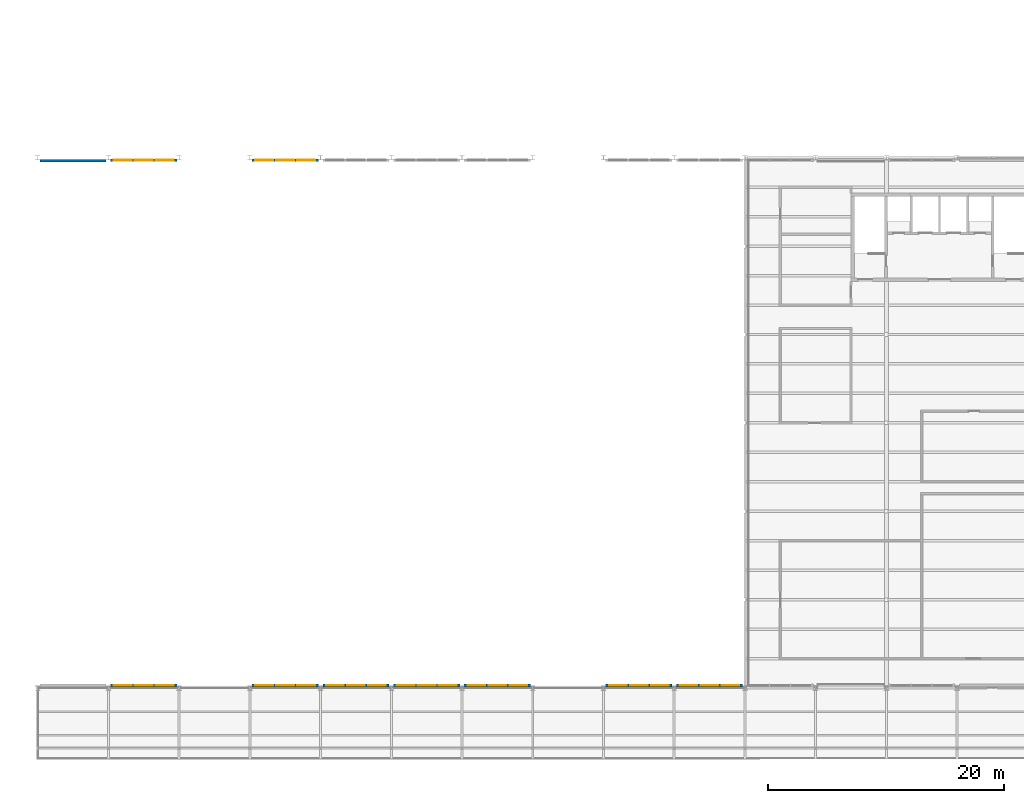
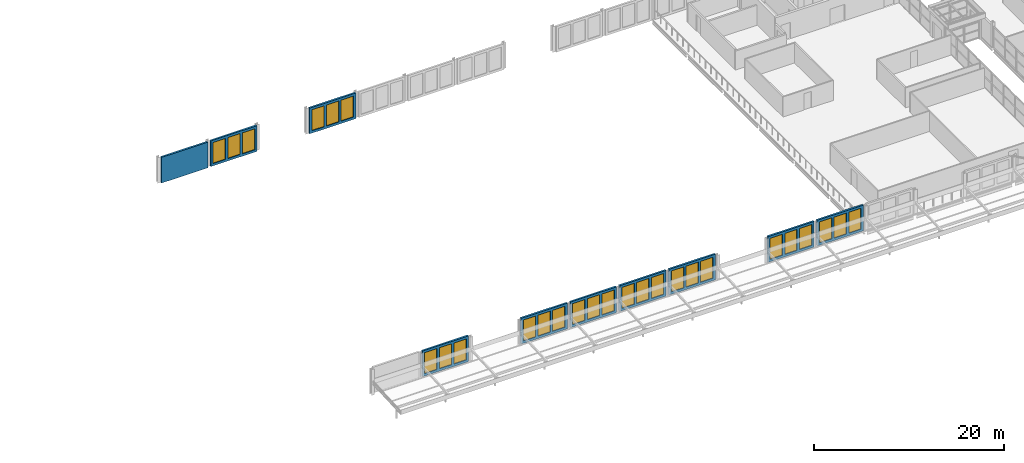
# One storey, part 62 of 214: 27 windows, 10 walls, 27 openings.
"""IFC4 building model written with IfcOpenShell, lengths in metres."""

from ifc_helpers import new_model, si_unit, direction, frame, frame_2d, origin, place, context, subcontext, project, spatial, rectangle, extrude, material, layer, layer_set, type_object, element, fill, save


model = new_model("IFC4")

# Units and contexts
model_context = context("Model", 3, precision=1e-05, world=origin(), true_north=direction((0.0, 1.0)))
body_context = subcontext(model_context, "Body", "Model", "MODEL_VIEW")
ifc_project = project(units=[si_unit("LENGTHUNIT", "METRE"), si_unit("AREAUNIT", "SQUARE_METRE"), si_unit("VOLUMEUNIT", "CUBIC_METRE"), si_unit("PLANEANGLEUNIT", "RADIAN"), si_unit("MASSUNIT", "GRAM", prefix="KILO")], contexts=[model_context])

# Site, building, storey
site_placement = place(None, origin())
site = spatial("IfcSite", under=ifc_project, at=site_placement, CompositionType="ELEMENT")
building_placement = place(site_placement, origin())
building = spatial("IfcBuilding", under=site, at=building_placement, Name="Parallax Yard Mobility Hub", CompositionType="ELEMENT")
storey_placement = place(building_placement, frame((0.0, 0.0, 3.300048828125)))
storey = spatial("IfcBuildingStorey", under=building, at=storey_placement, Name="L01", CompositionType="ELEMENT", Elevation=3.300048828125)

# Wall, openings, windows
ifc_material_1 = material(Name="Concrete fc' 35 MPa", Category="concrete")
ifc_layer = layer(ifc_material_1, 0.219970703125)
ifc_layer_set = layer_set([ifc_layer], Name="Gable panel, Concrete fc' 35 MPa precast, 220")
wall_type = type_object("IfcWallType", Name="Gable panel, Concrete fc' 35 MPa precast, 220", PredefinedType="SOLIDWALL", material=ifc_layer_set)
wall_1_placement = place(storey_placement, frame((15.1865234375, 7.72412109375, 0.0), z_axis=(0.0, 0.0, 1.0), x_axis=(1.0, 0.0, 0.0)))
wall_1 = element("IfcWall", 1, at=wall_1_placement, inside=storey, type_object=wall_type, Name="Bus and taxi deck south gable wall bay 2 level L01", PredefinedType="SOLIDWALL", context=body_context, shape_type="SweptSolid", body=[
    extrude(rectangle(XDim=5.626953125, YDim=0.219970703125, at=frame_2d((2.8134765625, 0.0))), origin(), (0.0, 0.0, 1.0), 3.300048828125),
])
opening_1_placement = place(wall_1_placement, frame((0.28173828125, 0.0, 0.300048828125)))
opening_1 = element("IfcOpeningElement", 2, at=opening_1_placement, cuts=wall_1, Name="Opening LV8", PredefinedType="OPENING", context=body_context, shape_type="SweptSolid", body=[
    extrude(rectangle(XDim=1.5, YDim=2.699951171875, at=frame_2d((0.75, 1.35009765625))), frame((0.0, 0.1201171875, 0.0), z_axis=(0.0, -1.0, 0.0), x_axis=(1.0, 0.0, 0.0)), (0.0, 0.0, 1.0), 0.239990234375),
])
opening_2_placement = place(wall_1_placement, frame((2.0634765625, 0.0, 0.300048828125)))
opening_2 = element("IfcOpeningElement", 3, at=opening_2_placement, cuts=wall_1, Name="Opening LV8", PredefinedType="OPENING", context=body_context, shape_type="SweptSolid", body=[
    extrude(rectangle(XDim=1.5, YDim=2.699951171875, at=frame_2d((0.75, 1.35009765625))), frame((0.0, 0.1201171875, 0.0), z_axis=(0.0, -1.0, 0.0), x_axis=(1.0, 0.0, 0.0)), (0.0, 0.0, 1.0), 0.239990234375),
])
opening_3_placement = place(wall_1_placement, frame((3.84521484375, 0.0, 0.300048828125)))
opening_3 = element("IfcOpeningElement", 4, at=opening_3_placement, cuts=wall_1, Name="Opening LV8", PredefinedType="OPENING", context=body_context, shape_type="SweptSolid", body=[
    extrude(rectangle(XDim=1.5, YDim=2.699951171875, at=frame_2d((0.75, 1.35009765625))), frame((0.0, 0.1201171875, 0.0), z_axis=(0.0, -1.0, 0.0), x_axis=(1.0, 0.0, 0.0)), (0.0, 0.0, 1.0), 0.239990234375),
])
ifc_material_2 = material(Name="Extruded aluminium storm louvre blades in a powder-coated frame", Category="aluminium")
window_type = type_object("IfcWindowType", Name="Storm louvre 1500 x 2700", PartitioningType="SINGLE_PANEL", PredefinedType="WINDOW", material=ifc_material_2)
window_1_placement = place(opening_1_placement, origin())
window_1 = element("IfcWindow", 5, at=window_1_placement, inside=storey, type_object=window_type, Name="LV8 louvre level L01", OverallHeight=2.699951171875, OverallWidth=1.5, PartitioningType="SINGLE_PANEL", PredefinedType="WINDOW", context=body_context, shape_type="SweptSolid", body=[
    extrude(rectangle(XDim=1.5, YDim=2.699951171875, at=frame_2d((0.75, 1.35009765625))), frame((0.0, 0.030029296875, 0.0), z_axis=(0.0, -1.0, 0.0), x_axis=(1.0, 0.0, 0.0)), (0.0, 0.0, 1.0), 0.06005859375),
])
fill(opening_1, window_1)
window_2_placement = place(opening_2_placement, origin())
window_2 = element("IfcWindow", 6, at=window_2_placement, inside=storey, type_object=window_type, Name="LV8 louvre level L01", OverallHeight=2.699951171875, OverallWidth=1.5, PartitioningType="SINGLE_PANEL", PredefinedType="WINDOW", context=body_context, shape_type="SweptSolid", body=[
    extrude(rectangle(XDim=1.5, YDim=2.699951171875, at=frame_2d((0.75, 1.35009765625))), frame((0.0, 0.030029296875, 0.0), z_axis=(0.0, -1.0, 0.0), x_axis=(1.0, 0.0, 0.0)), (0.0, 0.0, 1.0), 0.06005859375),
])
fill(opening_2, window_2)
window_3_placement = place(opening_3_placement, origin())
window_3 = element("IfcWindow", 7, at=window_3_placement, inside=storey, type_object=window_type, Name="LV8 louvre level L01", OverallHeight=2.699951171875, OverallWidth=1.5, PartitioningType="SINGLE_PANEL", PredefinedType="WINDOW", context=body_context, shape_type="SweptSolid", body=[
    extrude(rectangle(XDim=1.5, YDim=2.699951171875, at=frame_2d((0.75, 1.35009765625))), frame((0.0, 0.030029296875, 0.0), z_axis=(0.0, -1.0, 0.0), x_axis=(1.0, 0.0, 0.0)), (0.0, 0.0, 1.0), 0.06005859375),
])
fill(opening_3, window_3)

wall_2_placement = place(storey_placement, frame((27.1865234375, 7.72412109375, 0.0), z_axis=(0.0, 0.0, 1.0), x_axis=(1.0, 0.0, 0.0)))
wall_2 = element("IfcWall", 8, at=wall_2_placement, inside=storey, type_object=wall_type, Name="Bus and taxi deck south gable wall bay 3 level L01", PredefinedType="SOLIDWALL", context=body_context, shape_type="SweptSolid", body=[
    extrude(rectangle(XDim=5.626953125, YDim=0.219970703125, at=frame_2d((2.8134765625, 0.0))), origin(), (0.0, 0.0, 1.0), 3.300048828125),
])
opening_4_placement = place(wall_2_placement, frame((0.28173828125, 0.0, 0.300048828125)))
opening_4 = element("IfcOpeningElement", 9, at=opening_4_placement, cuts=wall_2, Name="Opening LV8", PredefinedType="OPENING", context=body_context, shape_type="SweptSolid", body=[
    extrude(rectangle(XDim=1.5, YDim=2.699951171875, at=frame_2d((0.75, 1.35009765625))), frame((0.0, 0.1201171875, 0.0), z_axis=(0.0, -1.0, 0.0), x_axis=(1.0, 0.0, 0.0)), (0.0, 0.0, 1.0), 0.239990234375),
])
opening_5_placement = place(wall_2_placement, frame((2.0634765625, 0.0, 0.300048828125)))
opening_5 = element("IfcOpeningElement", 10, at=opening_5_placement, cuts=wall_2, Name="Opening LV8", PredefinedType="OPENING", context=body_context, shape_type="SweptSolid", body=[
    extrude(rectangle(XDim=1.5, YDim=2.699951171875, at=frame_2d((0.75, 1.35009765625))), frame((0.0, 0.1201171875, 0.0), z_axis=(0.0, -1.0, 0.0), x_axis=(1.0, 0.0, 0.0)), (0.0, 0.0, 1.0), 0.239990234375),
])
opening_6_placement = place(wall_2_placement, frame((3.84521484375, 0.0, 0.300048828125)))
opening_6 = element("IfcOpeningElement", 11, at=opening_6_placement, cuts=wall_2, Name="Opening LV8", PredefinedType="OPENING", context=body_context, shape_type="SweptSolid", body=[
    extrude(rectangle(XDim=1.5, YDim=2.699951171875, at=frame_2d((0.75, 1.35009765625))), frame((0.0, 0.1201171875, 0.0), z_axis=(0.0, -1.0, 0.0), x_axis=(1.0, 0.0, 0.0)), (0.0, 0.0, 1.0), 0.239990234375),
])
window_4_placement = place(opening_4_placement, origin())
window_4 = element("IfcWindow", 12, at=window_4_placement, inside=storey, type_object=window_type, Name="LV8 louvre level L01", OverallHeight=2.699951171875, OverallWidth=1.5, PartitioningType="SINGLE_PANEL", PredefinedType="WINDOW", context=body_context, shape_type="SweptSolid", body=[
    extrude(rectangle(XDim=1.5, YDim=2.699951171875, at=frame_2d((0.75, 1.35009765625))), frame((0.0, 0.030029296875, 0.0), z_axis=(0.0, -1.0, 0.0), x_axis=(1.0, 0.0, 0.0)), (0.0, 0.0, 1.0), 0.06005859375),
])
fill(opening_4, window_4)
window_5_placement = place(opening_5_placement, origin())
window_5 = element("IfcWindow", 13, at=window_5_placement, inside=storey, type_object=window_type, Name="LV8 louvre level L01", OverallHeight=2.699951171875, OverallWidth=1.5, PartitioningType="SINGLE_PANEL", PredefinedType="WINDOW", context=body_context, shape_type="SweptSolid", body=[
    extrude(rectangle(XDim=1.5, YDim=2.699951171875, at=frame_2d((0.75, 1.35009765625))), frame((0.0, 0.030029296875, 0.0), z_axis=(0.0, -1.0, 0.0), x_axis=(1.0, 0.0, 0.0)), (0.0, 0.0, 1.0), 0.06005859375),
])
fill(opening_5, window_5)
window_6_placement = place(opening_6_placement, origin())
window_6 = element("IfcWindow", 14, at=window_6_placement, inside=storey, type_object=window_type, Name="LV8 louvre level L01", OverallHeight=2.699951171875, OverallWidth=1.5, PartitioningType="SINGLE_PANEL", PredefinedType="WINDOW", context=body_context, shape_type="SweptSolid", body=[
    extrude(rectangle(XDim=1.5, YDim=2.699951171875, at=frame_2d((0.75, 1.35009765625))), frame((0.0, 0.030029296875, 0.0), z_axis=(0.0, -1.0, 0.0), x_axis=(1.0, 0.0, 0.0)), (0.0, 0.0, 1.0), 0.06005859375),
])
fill(opening_6, window_6)

wall_3_placement = place(storey_placement, frame((33.1865234375, 7.72412109375, 0.0), z_axis=(0.0, 0.0, 1.0), x_axis=(1.0, 0.0, 0.0)))
wall_3 = element("IfcWall", 15, at=wall_3_placement, inside=storey, type_object=wall_type, Name="Bus and taxi deck south gable wall bay 4 level L01", PredefinedType="SOLIDWALL", context=body_context, shape_type="SweptSolid", body=[
    extrude(rectangle(XDim=5.626953125, YDim=0.219970703125, at=frame_2d((2.8134765625, 0.0))), origin(), (0.0, 0.0, 1.0), 3.300048828125),
])
opening_7_placement = place(wall_3_placement, frame((0.28173828125, 0.0, 0.300048828125)))
opening_7 = element("IfcOpeningElement", 16, at=opening_7_placement, cuts=wall_3, Name="Opening LV8", PredefinedType="OPENING", context=body_context, shape_type="SweptSolid", body=[
    extrude(rectangle(XDim=1.5, YDim=2.699951171875, at=frame_2d((0.75, 1.35009765625))), frame((0.0, 0.1201171875, 0.0), z_axis=(0.0, -1.0, 0.0), x_axis=(1.0, 0.0, 0.0)), (0.0, 0.0, 1.0), 0.239990234375),
])
opening_8_placement = place(wall_3_placement, frame((2.0634765625, 0.0, 0.300048828125)))
opening_8 = element("IfcOpeningElement", 17, at=opening_8_placement, cuts=wall_3, Name="Opening LV8", PredefinedType="OPENING", context=body_context, shape_type="SweptSolid", body=[
    extrude(rectangle(XDim=1.5, YDim=2.699951171875, at=frame_2d((0.75, 1.35009765625))), frame((0.0, 0.1201171875, 0.0), z_axis=(0.0, -1.0, 0.0), x_axis=(1.0, 0.0, 0.0)), (0.0, 0.0, 1.0), 0.239990234375),
])
opening_9_placement = place(wall_3_placement, frame((3.84521484375, 0.0, 0.300048828125)))
opening_9 = element("IfcOpeningElement", 18, at=opening_9_placement, cuts=wall_3, Name="Opening LV8", PredefinedType="OPENING", context=body_context, shape_type="SweptSolid", body=[
    extrude(rectangle(XDim=1.5, YDim=2.699951171875, at=frame_2d((0.75, 1.35009765625))), frame((0.0, 0.1201171875, 0.0), z_axis=(0.0, -1.0, 0.0), x_axis=(1.0, 0.0, 0.0)), (0.0, 0.0, 1.0), 0.239990234375),
])
window_7_placement = place(opening_7_placement, origin())
window_7 = element("IfcWindow", 19, at=window_7_placement, inside=storey, type_object=window_type, Name="LV8 louvre level L01", OverallHeight=2.699951171875, OverallWidth=1.5, PartitioningType="SINGLE_PANEL", PredefinedType="WINDOW", context=body_context, shape_type="SweptSolid", body=[
    extrude(rectangle(XDim=1.5, YDim=2.699951171875, at=frame_2d((0.75, 1.35009765625))), frame((0.0, 0.030029296875, 0.0), z_axis=(0.0, -1.0, 0.0), x_axis=(1.0, 0.0, 0.0)), (0.0, 0.0, 1.0), 0.06005859375),
])
fill(opening_7, window_7)
window_8_placement = place(opening_8_placement, origin())
window_8 = element("IfcWindow", 20, at=window_8_placement, inside=storey, type_object=window_type, Name="LV8 louvre level L01", OverallHeight=2.699951171875, OverallWidth=1.5, PartitioningType="SINGLE_PANEL", PredefinedType="WINDOW", context=body_context, shape_type="SweptSolid", body=[
    extrude(rectangle(XDim=1.5, YDim=2.699951171875, at=frame_2d((0.75, 1.35009765625))), frame((0.0, 0.030029296875, 0.0), z_axis=(0.0, -1.0, 0.0), x_axis=(1.0, 0.0, 0.0)), (0.0, 0.0, 1.0), 0.06005859375),
])
fill(opening_8, window_8)
window_9_placement = place(opening_9_placement, origin())
window_9 = element("IfcWindow", 21, at=window_9_placement, inside=storey, type_object=window_type, Name="LV8 louvre level L01", OverallHeight=2.699951171875, OverallWidth=1.5, PartitioningType="SINGLE_PANEL", PredefinedType="WINDOW", context=body_context, shape_type="SweptSolid", body=[
    extrude(rectangle(XDim=1.5, YDim=2.699951171875, at=frame_2d((0.75, 1.35009765625))), frame((0.0, 0.030029296875, 0.0), z_axis=(0.0, -1.0, 0.0), x_axis=(1.0, 0.0, 0.0)), (0.0, 0.0, 1.0), 0.06005859375),
])
fill(opening_9, window_9)

wall_4_placement = place(storey_placement, frame((39.1865234375, 7.72412109375, 0.0), z_axis=(0.0, 0.0, 1.0), x_axis=(1.0, 0.0, 0.0)))
wall_4 = element("IfcWall", 22, at=wall_4_placement, inside=storey, type_object=wall_type, Name="Bus and taxi deck south gable wall bay 5 level L01", PredefinedType="SOLIDWALL", context=body_context, shape_type="SweptSolid", body=[
    extrude(rectangle(XDim=5.626953125, YDim=0.219970703125, at=frame_2d((2.8134765625, 0.0))), origin(), (0.0, 0.0, 1.0), 3.300048828125),
])
opening_10_placement = place(wall_4_placement, frame((0.28173828125, 0.0, 0.300048828125)))
opening_10 = element("IfcOpeningElement", 23, at=opening_10_placement, cuts=wall_4, Name="Opening LV8", PredefinedType="OPENING", context=body_context, shape_type="SweptSolid", body=[
    extrude(rectangle(XDim=1.5, YDim=2.699951171875, at=frame_2d((0.75, 1.35009765625))), frame((0.0, 0.1201171875, 0.0), z_axis=(0.0, -1.0, 0.0), x_axis=(1.0, 0.0, 0.0)), (0.0, 0.0, 1.0), 0.239990234375),
])
opening_11_placement = place(wall_4_placement, frame((2.0634765625, 0.0, 0.300048828125)))
opening_11 = element("IfcOpeningElement", 24, at=opening_11_placement, cuts=wall_4, Name="Opening LV8", PredefinedType="OPENING", context=body_context, shape_type="SweptSolid", body=[
    extrude(rectangle(XDim=1.5, YDim=2.699951171875, at=frame_2d((0.75, 1.35009765625))), frame((0.0, 0.1201171875, 0.0), z_axis=(0.0, -1.0, 0.0), x_axis=(1.0, 0.0, 0.0)), (0.0, 0.0, 1.0), 0.239990234375),
])
opening_12_placement = place(wall_4_placement, frame((3.84521484375, 0.0, 0.300048828125)))
opening_12 = element("IfcOpeningElement", 25, at=opening_12_placement, cuts=wall_4, Name="Opening LV8", PredefinedType="OPENING", context=body_context, shape_type="SweptSolid", body=[
    extrude(rectangle(XDim=1.5, YDim=2.699951171875, at=frame_2d((0.75, 1.35009765625))), frame((0.0, 0.1201171875, 0.0), z_axis=(0.0, -1.0, 0.0), x_axis=(1.0, 0.0, 0.0)), (0.0, 0.0, 1.0), 0.239990234375),
])
window_10_placement = place(opening_10_placement, origin())
window_10 = element("IfcWindow", 26, at=window_10_placement, inside=storey, type_object=window_type, Name="LV8 louvre level L01", OverallHeight=2.699951171875, OverallWidth=1.5, PartitioningType="SINGLE_PANEL", PredefinedType="WINDOW", context=body_context, shape_type="SweptSolid", body=[
    extrude(rectangle(XDim=1.5, YDim=2.699951171875, at=frame_2d((0.75, 1.35009765625))), frame((0.0, 0.030029296875, 0.0), z_axis=(0.0, -1.0, 0.0), x_axis=(1.0, 0.0, 0.0)), (0.0, 0.0, 1.0), 0.06005859375),
])
fill(opening_10, window_10)
window_11_placement = place(opening_11_placement, origin())
window_11 = element("IfcWindow", 27, at=window_11_placement, inside=storey, type_object=window_type, Name="LV8 louvre level L01", OverallHeight=2.699951171875, OverallWidth=1.5, PartitioningType="SINGLE_PANEL", PredefinedType="WINDOW", context=body_context, shape_type="SweptSolid", body=[
    extrude(rectangle(XDim=1.5, YDim=2.699951171875, at=frame_2d((0.75, 1.35009765625))), frame((0.0, 0.030029296875, 0.0), z_axis=(0.0, -1.0, 0.0), x_axis=(1.0, 0.0, 0.0)), (0.0, 0.0, 1.0), 0.06005859375),
])
fill(opening_11, window_11)
window_12_placement = place(opening_12_placement, origin())
window_12 = element("IfcWindow", 28, at=window_12_placement, inside=storey, type_object=window_type, Name="LV8 louvre level L01", OverallHeight=2.699951171875, OverallWidth=1.5, PartitioningType="SINGLE_PANEL", PredefinedType="WINDOW", context=body_context, shape_type="SweptSolid", body=[
    extrude(rectangle(XDim=1.5, YDim=2.699951171875, at=frame_2d((0.75, 1.35009765625))), frame((0.0, 0.030029296875, 0.0), z_axis=(0.0, -1.0, 0.0), x_axis=(1.0, 0.0, 0.0)), (0.0, 0.0, 1.0), 0.06005859375),
])
fill(opening_12, window_12)

wall_5_placement = place(storey_placement, frame((45.1865234375, 7.72412109375, 0.0), z_axis=(0.0, 0.0, 1.0), x_axis=(1.0, 0.0, 0.0)))
wall_5 = element("IfcWall", 29, at=wall_5_placement, inside=storey, type_object=wall_type, Name="Bus and taxi deck south gable wall bay 6 level L01", PredefinedType="SOLIDWALL", context=body_context, shape_type="SweptSolid", body=[
    extrude(rectangle(XDim=5.626953125, YDim=0.219970703125, at=frame_2d((2.8134765625, 0.0))), origin(), (0.0, 0.0, 1.0), 3.300048828125),
])
opening_13_placement = place(wall_5_placement, frame((0.28173828125, 0.0, 0.300048828125)))
opening_13 = element("IfcOpeningElement", 30, at=opening_13_placement, cuts=wall_5, Name="Opening LV8", PredefinedType="OPENING", context=body_context, shape_type="SweptSolid", body=[
    extrude(rectangle(XDim=1.5, YDim=2.699951171875, at=frame_2d((0.75, 1.35009765625))), frame((0.0, 0.1201171875, 0.0), z_axis=(0.0, -1.0, 0.0), x_axis=(1.0, 0.0, 0.0)), (0.0, 0.0, 1.0), 0.239990234375),
])
opening_14_placement = place(wall_5_placement, frame((2.0634765625, 0.0, 0.300048828125)))
opening_14 = element("IfcOpeningElement", 31, at=opening_14_placement, cuts=wall_5, Name="Opening LV8", PredefinedType="OPENING", context=body_context, shape_type="SweptSolid", body=[
    extrude(rectangle(XDim=1.5, YDim=2.699951171875, at=frame_2d((0.75, 1.35009765625))), frame((0.0, 0.1201171875, 0.0), z_axis=(0.0, -1.0, 0.0), x_axis=(1.0, 0.0, 0.0)), (0.0, 0.0, 1.0), 0.239990234375),
])
opening_15_placement = place(wall_5_placement, frame((3.84521484375, 0.0, 0.300048828125)))
opening_15 = element("IfcOpeningElement", 32, at=opening_15_placement, cuts=wall_5, Name="Opening LV8", PredefinedType="OPENING", context=body_context, shape_type="SweptSolid", body=[
    extrude(rectangle(XDim=1.5, YDim=2.699951171875, at=frame_2d((0.75, 1.35009765625))), frame((0.0, 0.1201171875, 0.0), z_axis=(0.0, -1.0, 0.0), x_axis=(1.0, 0.0, 0.0)), (0.0, 0.0, 1.0), 0.239990234375),
])
window_13_placement = place(opening_13_placement, origin())
window_13 = element("IfcWindow", 33, at=window_13_placement, inside=storey, type_object=window_type, Name="LV8 louvre level L01", OverallHeight=2.699951171875, OverallWidth=1.5, PartitioningType="SINGLE_PANEL", PredefinedType="WINDOW", context=body_context, shape_type="SweptSolid", body=[
    extrude(rectangle(XDim=1.5, YDim=2.699951171875, at=frame_2d((0.75, 1.35009765625))), frame((0.0, 0.030029296875, 0.0), z_axis=(0.0, -1.0, 0.0), x_axis=(1.0, 0.0, 0.0)), (0.0, 0.0, 1.0), 0.06005859375),
])
fill(opening_13, window_13)
window_14_placement = place(opening_14_placement, origin())
window_14 = element("IfcWindow", 34, at=window_14_placement, inside=storey, type_object=window_type, Name="LV8 louvre level L01", OverallHeight=2.699951171875, OverallWidth=1.5, PartitioningType="SINGLE_PANEL", PredefinedType="WINDOW", context=body_context, shape_type="SweptSolid", body=[
    extrude(rectangle(XDim=1.5, YDim=2.699951171875, at=frame_2d((0.75, 1.35009765625))), frame((0.0, 0.030029296875, 0.0), z_axis=(0.0, -1.0, 0.0), x_axis=(1.0, 0.0, 0.0)), (0.0, 0.0, 1.0), 0.06005859375),
])
fill(opening_14, window_14)
window_15_placement = place(opening_15_placement, origin())
window_15 = element("IfcWindow", 35, at=window_15_placement, inside=storey, type_object=window_type, Name="LV8 louvre level L01", OverallHeight=2.699951171875, OverallWidth=1.5, PartitioningType="SINGLE_PANEL", PredefinedType="WINDOW", context=body_context, shape_type="SweptSolid", body=[
    extrude(rectangle(XDim=1.5, YDim=2.699951171875, at=frame_2d((0.75, 1.35009765625))), frame((0.0, 0.030029296875, 0.0), z_axis=(0.0, -1.0, 0.0), x_axis=(1.0, 0.0, 0.0)), (0.0, 0.0, 1.0), 0.06005859375),
])
fill(opening_15, window_15)

wall_6_placement = place(storey_placement, frame((57.1865234375, 7.72412109375, 0.0), z_axis=(0.0, 0.0, 1.0), x_axis=(1.0, 0.0, 0.0)))
wall_6 = element("IfcWall", 36, at=wall_6_placement, inside=storey, type_object=wall_type, Name="Bus and taxi deck south gable wall bay 7 level L01", PredefinedType="SOLIDWALL", context=body_context, shape_type="SweptSolid", body=[
    extrude(rectangle(XDim=5.626953125, YDim=0.219970703125, at=frame_2d((2.8134765625, 0.0))), origin(), (0.0, 0.0, 1.0), 3.300048828125),
])
opening_16_placement = place(wall_6_placement, frame((0.28173828125, 0.0, 0.300048828125)))
opening_16 = element("IfcOpeningElement", 37, at=opening_16_placement, cuts=wall_6, Name="Opening LV8", PredefinedType="OPENING", context=body_context, shape_type="SweptSolid", body=[
    extrude(rectangle(XDim=1.5, YDim=2.699951171875, at=frame_2d((0.75, 1.35009765625))), frame((0.0, 0.1201171875, 0.0), z_axis=(0.0, -1.0, 0.0), x_axis=(1.0, 0.0, 0.0)), (0.0, 0.0, 1.0), 0.239990234375),
])
opening_17_placement = place(wall_6_placement, frame((2.0634765625, 0.0, 0.300048828125)))
opening_17 = element("IfcOpeningElement", 38, at=opening_17_placement, cuts=wall_6, Name="Opening LV8", PredefinedType="OPENING", context=body_context, shape_type="SweptSolid", body=[
    extrude(rectangle(XDim=1.5, YDim=2.699951171875, at=frame_2d((0.75, 1.35009765625))), frame((0.0, 0.1201171875, 0.0), z_axis=(0.0, -1.0, 0.0), x_axis=(1.0, 0.0, 0.0)), (0.0, 0.0, 1.0), 0.239990234375),
])
opening_18_placement = place(wall_6_placement, frame((3.84521484375, 0.0, 0.300048828125)))
opening_18 = element("IfcOpeningElement", 39, at=opening_18_placement, cuts=wall_6, Name="Opening LV8", PredefinedType="OPENING", context=body_context, shape_type="SweptSolid", body=[
    extrude(rectangle(XDim=1.5, YDim=2.699951171875, at=frame_2d((0.75, 1.35009765625))), frame((0.0, 0.1201171875, 0.0), z_axis=(0.0, -1.0, 0.0), x_axis=(1.0, 0.0, 0.0)), (0.0, 0.0, 1.0), 0.239990234375),
])
window_16_placement = place(opening_16_placement, origin())
window_16 = element("IfcWindow", 40, at=window_16_placement, inside=storey, type_object=window_type, Name="LV8 louvre level L01", OverallHeight=2.699951171875, OverallWidth=1.5, PartitioningType="SINGLE_PANEL", PredefinedType="WINDOW", context=body_context, shape_type="SweptSolid", body=[
    extrude(rectangle(XDim=1.5, YDim=2.699951171875, at=frame_2d((0.75, 1.35009765625))), frame((0.0, 0.030029296875, 0.0), z_axis=(0.0, -1.0, 0.0), x_axis=(1.0, 0.0, 0.0)), (0.0, 0.0, 1.0), 0.06005859375),
])
fill(opening_16, window_16)
window_17_placement = place(opening_17_placement, origin())
window_17 = element("IfcWindow", 41, at=window_17_placement, inside=storey, type_object=window_type, Name="LV8 louvre level L01", OverallHeight=2.699951171875, OverallWidth=1.5, PartitioningType="SINGLE_PANEL", PredefinedType="WINDOW", context=body_context, shape_type="SweptSolid", body=[
    extrude(rectangle(XDim=1.5, YDim=2.699951171875, at=frame_2d((0.75, 1.35009765625))), frame((0.0, 0.030029296875, 0.0), z_axis=(0.0, -1.0, 0.0), x_axis=(1.0, 0.0, 0.0)), (0.0, 0.0, 1.0), 0.06005859375),
])
fill(opening_17, window_17)
window_18_placement = place(opening_18_placement, origin())
window_18 = element("IfcWindow", 42, at=window_18_placement, inside=storey, type_object=window_type, Name="LV8 louvre level L01", OverallHeight=2.699951171875, OverallWidth=1.5, PartitioningType="SINGLE_PANEL", PredefinedType="WINDOW", context=body_context, shape_type="SweptSolid", body=[
    extrude(rectangle(XDim=1.5, YDim=2.699951171875, at=frame_2d((0.75, 1.35009765625))), frame((0.0, 0.030029296875, 0.0), z_axis=(0.0, -1.0, 0.0), x_axis=(1.0, 0.0, 0.0)), (0.0, 0.0, 1.0), 0.06005859375),
])
fill(opening_18, window_18)

wall_7_placement = place(storey_placement, frame((63.1865234375, 7.72412109375, 0.0), z_axis=(0.0, 0.0, 1.0), x_axis=(1.0, 0.0, 0.0)))
wall_7 = element("IfcWall", 43, at=wall_7_placement, inside=storey, type_object=wall_type, Name="Bus and taxi deck south gable wall bay 8 level L01", PredefinedType="SOLIDWALL", context=body_context, shape_type="SweptSolid", body=[
    extrude(rectangle(XDim=5.626953125, YDim=0.219970703125, at=frame_2d((2.8134765625, 0.0))), origin(), (0.0, 0.0, 1.0), 3.300048828125),
])
opening_19_placement = place(wall_7_placement, frame((0.28173828125, 0.0, 0.300048828125)))
opening_19 = element("IfcOpeningElement", 44, at=opening_19_placement, cuts=wall_7, Name="Opening LV8", PredefinedType="OPENING", context=body_context, shape_type="SweptSolid", body=[
    extrude(rectangle(XDim=1.5, YDim=2.699951171875, at=frame_2d((0.75, 1.35009765625))), frame((0.0, 0.1201171875, 0.0), z_axis=(0.0, -1.0, 0.0), x_axis=(1.0, 0.0, 0.0)), (0.0, 0.0, 1.0), 0.239990234375),
])
opening_20_placement = place(wall_7_placement, frame((2.0634765625, 0.0, 0.300048828125)))
opening_20 = element("IfcOpeningElement", 45, at=opening_20_placement, cuts=wall_7, Name="Opening LV8", PredefinedType="OPENING", context=body_context, shape_type="SweptSolid", body=[
    extrude(rectangle(XDim=1.5, YDim=2.699951171875, at=frame_2d((0.75, 1.35009765625))), frame((0.0, 0.1201171875, 0.0), z_axis=(0.0, -1.0, 0.0), x_axis=(1.0, 0.0, 0.0)), (0.0, 0.0, 1.0), 0.239990234375),
])
opening_21_placement = place(wall_7_placement, frame((3.84521484375, 0.0, 0.300048828125)))
opening_21 = element("IfcOpeningElement", 46, at=opening_21_placement, cuts=wall_7, Name="Opening LV8", PredefinedType="OPENING", context=body_context, shape_type="SweptSolid", body=[
    extrude(rectangle(XDim=1.5, YDim=2.699951171875, at=frame_2d((0.75, 1.35009765625))), frame((0.0, 0.1201171875, 0.0), z_axis=(0.0, -1.0, 0.0), x_axis=(1.0, 0.0, 0.0)), (0.0, 0.0, 1.0), 0.239990234375),
])
window_19_placement = place(opening_19_placement, origin())
window_19 = element("IfcWindow", 47, at=window_19_placement, inside=storey, type_object=window_type, Name="LV8 louvre level L01", OverallHeight=2.699951171875, OverallWidth=1.5, PartitioningType="SINGLE_PANEL", PredefinedType="WINDOW", context=body_context, shape_type="SweptSolid", body=[
    extrude(rectangle(XDim=1.5, YDim=2.699951171875, at=frame_2d((0.75, 1.35009765625))), frame((0.0, 0.030029296875, 0.0), z_axis=(0.0, -1.0, 0.0), x_axis=(1.0, 0.0, 0.0)), (0.0, 0.0, 1.0), 0.06005859375),
])
fill(opening_19, window_19)
window_20_placement = place(opening_20_placement, origin())
window_20 = element("IfcWindow", 48, at=window_20_placement, inside=storey, type_object=window_type, Name="LV8 louvre level L01", OverallHeight=2.699951171875, OverallWidth=1.5, PartitioningType="SINGLE_PANEL", PredefinedType="WINDOW", context=body_context, shape_type="SweptSolid", body=[
    extrude(rectangle(XDim=1.5, YDim=2.699951171875, at=frame_2d((0.75, 1.35009765625))), frame((0.0, 0.030029296875, 0.0), z_axis=(0.0, -1.0, 0.0), x_axis=(1.0, 0.0, 0.0)), (0.0, 0.0, 1.0), 0.06005859375),
])
fill(opening_20, window_20)
window_21_placement = place(opening_21_placement, origin())
window_21 = element("IfcWindow", 49, at=window_21_placement, inside=storey, type_object=window_type, Name="LV8 louvre level L01", OverallHeight=2.699951171875, OverallWidth=1.5, PartitioningType="SINGLE_PANEL", PredefinedType="WINDOW", context=body_context, shape_type="SweptSolid", body=[
    extrude(rectangle(XDim=1.5, YDim=2.699951171875, at=frame_2d((0.75, 1.35009765625))), frame((0.0, 0.030029296875, 0.0), z_axis=(0.0, -1.0, 0.0), x_axis=(1.0, 0.0, 0.0)), (0.0, 0.0, 1.0), 0.06005859375),
])
fill(opening_21, window_21)

# Wall
wall_8_placement = place(storey_placement, frame((9.1865234375, 52.25048828125, 0.0), z_axis=(0.0, 0.0, 1.0), x_axis=(1.0, 0.0, 0.0)))
element("IfcWall", 50, at=wall_8_placement, inside=storey, type_object=wall_type, Name="Bus and taxi deck north gable wall bay 1 level L01", PredefinedType="SOLIDWALL", context=body_context, shape_type="SweptSolid", body=[
    extrude(rectangle(XDim=5.626953125, YDim=0.219970703125, at=frame_2d((2.8134765625, 0.0))), origin(), (0.0, 0.0, 1.0), 3.300048828125),
])

# Wall, openings, windows
wall_9_placement = place(storey_placement, frame((15.1865234375, 52.27587890625, 0.0), z_axis=(0.0, 0.0, 1.0), x_axis=(1.0, 0.0, 0.0)))
wall_9 = element("IfcWall", 51, at=wall_9_placement, inside=storey, type_object=wall_type, Name="Bus and taxi deck north gable wall bay 2 level L01", PredefinedType="SOLIDWALL", context=body_context, shape_type="SweptSolid", body=[
    extrude(rectangle(XDim=5.626953125, YDim=0.219970703125, at=frame_2d((2.8134765625, 0.0))), origin(), (0.0, 0.0, 1.0), 3.300048828125),
])
opening_22_placement = place(wall_9_placement, frame((0.28173828125, 0.0, 0.300048828125)))
opening_22 = element("IfcOpeningElement", 52, at=opening_22_placement, cuts=wall_9, Name="Opening LV8", PredefinedType="OPENING", context=body_context, shape_type="SweptSolid", body=[
    extrude(rectangle(XDim=1.5, YDim=2.699951171875, at=frame_2d((0.75, 1.35009765625))), frame((0.0, 0.1201171875, 0.0), z_axis=(0.0, -1.0, 0.0), x_axis=(1.0, 0.0, 0.0)), (0.0, 0.0, 1.0), 0.239990234375),
])
opening_23_placement = place(wall_9_placement, frame((2.0634765625, 0.0, 0.300048828125)))
opening_23 = element("IfcOpeningElement", 53, at=opening_23_placement, cuts=wall_9, Name="Opening LV8", PredefinedType="OPENING", context=body_context, shape_type="SweptSolid", body=[
    extrude(rectangle(XDim=1.5, YDim=2.699951171875, at=frame_2d((0.75, 1.35009765625))), frame((0.0, 0.1201171875, 0.0), z_axis=(0.0, -1.0, 0.0), x_axis=(1.0, 0.0, 0.0)), (0.0, 0.0, 1.0), 0.239990234375),
])
opening_24_placement = place(wall_9_placement, frame((3.84521484375, 0.0, 0.300048828125)))
opening_24 = element("IfcOpeningElement", 54, at=opening_24_placement, cuts=wall_9, Name="Opening LV8", PredefinedType="OPENING", context=body_context, shape_type="SweptSolid", body=[
    extrude(rectangle(XDim=1.5, YDim=2.699951171875, at=frame_2d((0.75, 1.35009765625))), frame((0.0, 0.1201171875, 0.0), z_axis=(0.0, -1.0, 0.0), x_axis=(1.0, 0.0, 0.0)), (0.0, 0.0, 1.0), 0.239990234375),
])
window_22_placement = place(opening_22_placement, origin())
window_22 = element("IfcWindow", 55, at=window_22_placement, inside=storey, type_object=window_type, Name="LV8 louvre level L01", OverallHeight=2.699951171875, OverallWidth=1.5, PartitioningType="SINGLE_PANEL", PredefinedType="WINDOW", context=body_context, shape_type="SweptSolid", body=[
    extrude(rectangle(XDim=1.5, YDim=2.699951171875, at=frame_2d((0.75, 1.35009765625))), frame((0.0, 0.030029296875, 0.0), z_axis=(0.0, -1.0, 0.0), x_axis=(1.0, 0.0, 0.0)), (0.0, 0.0, 1.0), 0.06005859375),
])
fill(opening_22, window_22)
window_23_placement = place(opening_23_placement, origin())
window_23 = element("IfcWindow", 56, at=window_23_placement, inside=storey, type_object=window_type, Name="LV8 louvre level L01", OverallHeight=2.699951171875, OverallWidth=1.5, PartitioningType="SINGLE_PANEL", PredefinedType="WINDOW", context=body_context, shape_type="SweptSolid", body=[
    extrude(rectangle(XDim=1.5, YDim=2.699951171875, at=frame_2d((0.75, 1.35009765625))), frame((0.0, 0.030029296875, 0.0), z_axis=(0.0, -1.0, 0.0), x_axis=(1.0, 0.0, 0.0)), (0.0, 0.0, 1.0), 0.06005859375),
])
fill(opening_23, window_23)
window_24_placement = place(opening_24_placement, origin())
window_24 = element("IfcWindow", 57, at=window_24_placement, inside=storey, type_object=window_type, Name="LV8 louvre level L01", OverallHeight=2.699951171875, OverallWidth=1.5, PartitioningType="SINGLE_PANEL", PredefinedType="WINDOW", context=body_context, shape_type="SweptSolid", body=[
    extrude(rectangle(XDim=1.5, YDim=2.699951171875, at=frame_2d((0.75, 1.35009765625))), frame((0.0, 0.030029296875, 0.0), z_axis=(0.0, -1.0, 0.0), x_axis=(1.0, 0.0, 0.0)), (0.0, 0.0, 1.0), 0.06005859375),
])
fill(opening_24, window_24)

wall_10_placement = place(storey_placement, frame((27.1865234375, 52.27587890625, 0.0), z_axis=(0.0, 0.0, 1.0), x_axis=(1.0, 0.0, 0.0)))
wall_10 = element("IfcWall", 58, at=wall_10_placement, inside=storey, type_object=wall_type, Name="Bus and taxi deck north gable wall bay 3 level L01", PredefinedType="SOLIDWALL", context=body_context, shape_type="SweptSolid", body=[
    extrude(rectangle(XDim=5.626953125, YDim=0.219970703125, at=frame_2d((2.8134765625, 0.0))), origin(), (0.0, 0.0, 1.0), 3.300048828125),
])
opening_25_placement = place(wall_10_placement, frame((0.28173828125, 0.0, 0.300048828125)))
opening_25 = element("IfcOpeningElement", 59, at=opening_25_placement, cuts=wall_10, Name="Opening LV8", PredefinedType="OPENING", context=body_context, shape_type="SweptSolid", body=[
    extrude(rectangle(XDim=1.5, YDim=2.699951171875, at=frame_2d((0.75, 1.35009765625))), frame((0.0, 0.1201171875, 0.0), z_axis=(0.0, -1.0, 0.0), x_axis=(1.0, 0.0, 0.0)), (0.0, 0.0, 1.0), 0.239990234375),
])
opening_26_placement = place(wall_10_placement, frame((2.0634765625, 0.0, 0.300048828125)))
opening_26 = element("IfcOpeningElement", 60, at=opening_26_placement, cuts=wall_10, Name="Opening LV8", PredefinedType="OPENING", context=body_context, shape_type="SweptSolid", body=[
    extrude(rectangle(XDim=1.5, YDim=2.699951171875, at=frame_2d((0.75, 1.35009765625))), frame((0.0, 0.1201171875, 0.0), z_axis=(0.0, -1.0, 0.0), x_axis=(1.0, 0.0, 0.0)), (0.0, 0.0, 1.0), 0.239990234375),
])
opening_27_placement = place(wall_10_placement, frame((3.84521484375, 0.0, 0.300048828125)))
opening_27 = element("IfcOpeningElement", 61, at=opening_27_placement, cuts=wall_10, Name="Opening LV8", PredefinedType="OPENING", context=body_context, shape_type="SweptSolid", body=[
    extrude(rectangle(XDim=1.5, YDim=2.699951171875, at=frame_2d((0.75, 1.35009765625))), frame((0.0, 0.1201171875, 0.0), z_axis=(0.0, -1.0, 0.0), x_axis=(1.0, 0.0, 0.0)), (0.0, 0.0, 1.0), 0.239990234375),
])
window_25_placement = place(opening_25_placement, origin())
window_25 = element("IfcWindow", 62, at=window_25_placement, inside=storey, type_object=window_type, Name="LV8 louvre level L01", OverallHeight=2.699951171875, OverallWidth=1.5, PartitioningType="SINGLE_PANEL", PredefinedType="WINDOW", context=body_context, shape_type="SweptSolid", body=[
    extrude(rectangle(XDim=1.5, YDim=2.699951171875, at=frame_2d((0.75, 1.35009765625))), frame((0.0, 0.030029296875, 0.0), z_axis=(0.0, -1.0, 0.0), x_axis=(1.0, 0.0, 0.0)), (0.0, 0.0, 1.0), 0.06005859375),
])
fill(opening_25, window_25)
window_26_placement = place(opening_26_placement, origin())
window_26 = element("IfcWindow", 63, at=window_26_placement, inside=storey, type_object=window_type, Name="LV8 louvre level L01", OverallHeight=2.699951171875, OverallWidth=1.5, PartitioningType="SINGLE_PANEL", PredefinedType="WINDOW", context=body_context, shape_type="SweptSolid", body=[
    extrude(rectangle(XDim=1.5, YDim=2.699951171875, at=frame_2d((0.75, 1.35009765625))), frame((0.0, 0.030029296875, 0.0), z_axis=(0.0, -1.0, 0.0), x_axis=(1.0, 0.0, 0.0)), (0.0, 0.0, 1.0), 0.06005859375),
])
fill(opening_26, window_26)
window_27_placement = place(opening_27_placement, origin())
window_27 = element("IfcWindow", 64, at=window_27_placement, inside=storey, type_object=window_type, Name="LV8 louvre level L01", OverallHeight=2.699951171875, OverallWidth=1.5, PartitioningType="SINGLE_PANEL", PredefinedType="WINDOW", context=body_context, shape_type="SweptSolid", body=[
    extrude(rectangle(XDim=1.5, YDim=2.699951171875, at=frame_2d((0.75, 1.35009765625))), frame((0.0, 0.030029296875, 0.0), z_axis=(0.0, -1.0, 0.0), x_axis=(1.0, 0.0, 0.0)), (0.0, 0.0, 1.0), 0.06005859375),
])
fill(opening_27, window_27)

save(model, "model.ifc")
